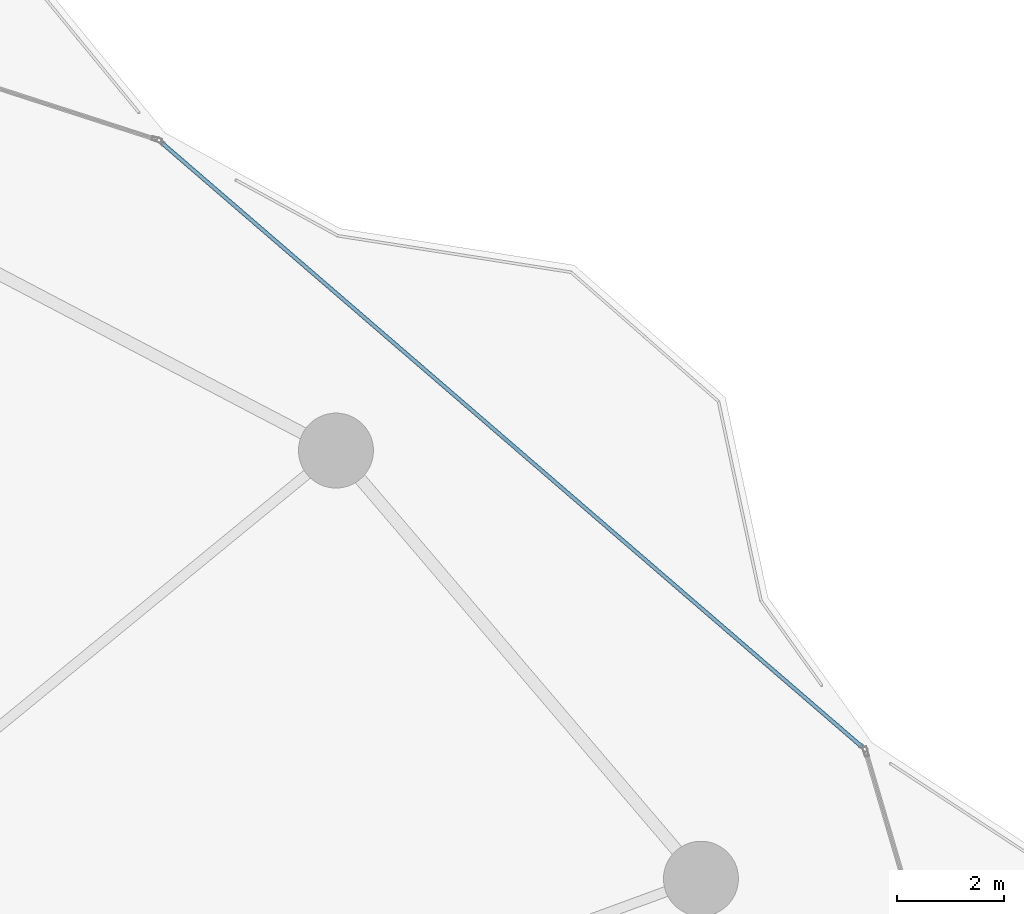
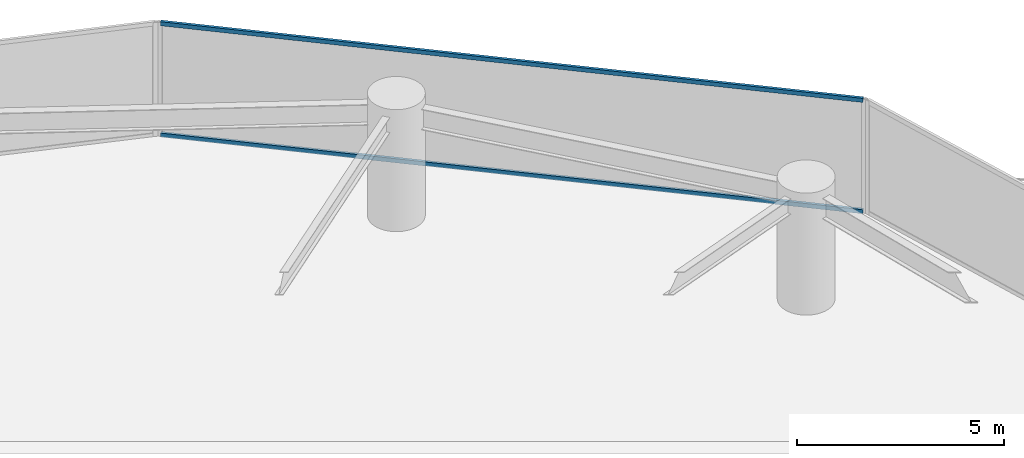
# One storey, part 20 of 33: 2 members, 1 element without a shape of its own.
"""IFC4 building model written with IfcOpenShell, lengths in metres."""

from ifc_helpers import new_model, si_unit, direction, frame, origin, origin_2d, place, context, subcontext, project, spatial, hollow_rectangle, extrude, material, layer, layer_set, material_profile, profile_set, type_object, element, aggregate, save


model = new_model("IFC4")

# Units and contexts
model_context = context("Model", 3, precision=1e-05, world=origin(), true_north=direction((0.0, 1.0)))
body_context = subcontext(model_context, "Body", "Model", "MODEL_VIEW")
ifc_project = project(units=[si_unit("LENGTHUNIT", "METRE"), si_unit("AREAUNIT", "SQUARE_METRE"), si_unit("VOLUMEUNIT", "CUBIC_METRE"), si_unit("PLANEANGLEUNIT", "RADIAN"), si_unit("MASSUNIT", "GRAM", prefix="KILO")], contexts=[model_context])

# Site, building, storey
site_placement = place(None, origin())
site = spatial("IfcSite", under=ifc_project, at=site_placement, CompositionType="ELEMENT")
building_placement = place(site_placement, origin())
building = spatial("IfcBuilding", under=site, at=building_placement, Name="Kazevale Care Tower and Concert Hall", CompositionType="ELEMENT")
storey_placement = place(building_placement, frame((0.0, 0.0, 52.800048828125)))
storey = spatial("IfcBuildingStorey", under=building, at=storey_placement, Name="L13", CompositionType="ELEMENT", Elevation=52.800048828125)

# Curtain wall, members
ifc_material_1 = material(Name="Aluminium 6063-T6 and Low-E Glass", Category="aluminium")
ifc_layer = layer(ifc_material_1, 0.179931640625)
ifc_layer_set = layer_set([ifc_layer], Name="Aluminium 6063-T6 and Low-E Glass")
curtain_wall_type = type_object("IfcCurtainWallType", Name="Convex Recessed Sunroom Curtain Wall CW-3", PredefinedType="NOTDEFINED", material=ifc_layer_set)
curtain_wall_placement = place(storey_placement, origin())
curtain_wall = element("IfcCurtainWall", 1, at=curtain_wall_placement, inside=storey, type_object=curtain_wall_type, Name="cw:L13:f17", PredefinedType="NOTDEFINED")
ifc_material_2 = material(Name="Aluminium 6063-T6", Category="aluminium")
ifc_material_profile = material_profile(ifc_material_2, hollow_rectangle(XDim=0.074951171875, YDim=0.1201171875, WallThickness=0.00390625, at=origin_2d()), Name="ALU75x120x4")
ifc_profile_set = profile_set([ifc_material_profile], Name="Aluminium 6063-T6")
member_type = type_object("IfcMemberType", Name="CW-3 Transom ALU75x120x4", PredefinedType="USERDEFINED", material=ifc_profile_set)
member_1_placement = place(storey_placement, frame((63.98681640625, 61.178955078125, 0.037353515625), z_axis=(0.757205368894, -0.653176874451, 0.0), x_axis=(0.653176874451, 0.757205368894, 0.0)))
member_1 = element("IfcMember", 2, at=member_1_placement, type_object=member_type, Name="CW-3 transom 1.1", ObjectType="TRANSOM", PredefinedType="USERDEFINED", context=body_context, shape_type="SweptSolid", body=[
    extrude(hollow_rectangle(XDim=0.074951171875, YDim=0.1201171875, WallThickness=0.00390625, at=origin_2d()), origin(), (0.0, 0.0, 1.0), 17.280029296875),
])
member_2_placement = place(storey_placement, frame((63.98681640625, 61.178955078125, 3.322509765625), z_axis=(0.757205368894, -0.653176874451, 0.0), x_axis=(0.653176874451, 0.757205368894, 0.0)))
member_2 = element("IfcMember", 3, at=member_2_placement, type_object=member_type, Name="CW-3 transom 1.2", ObjectType="TRANSOM", PredefinedType="USERDEFINED", context=body_context, shape_type="SweptSolid", body=[
    extrude(hollow_rectangle(XDim=0.074951171875, YDim=0.1201171875, WallThickness=0.00390625, at=origin_2d()), origin(), (0.0, 0.0, 1.0), 17.280029296875),
])
aggregate(curtain_wall, [member_1, member_2])

save(model, "model.ifc")
